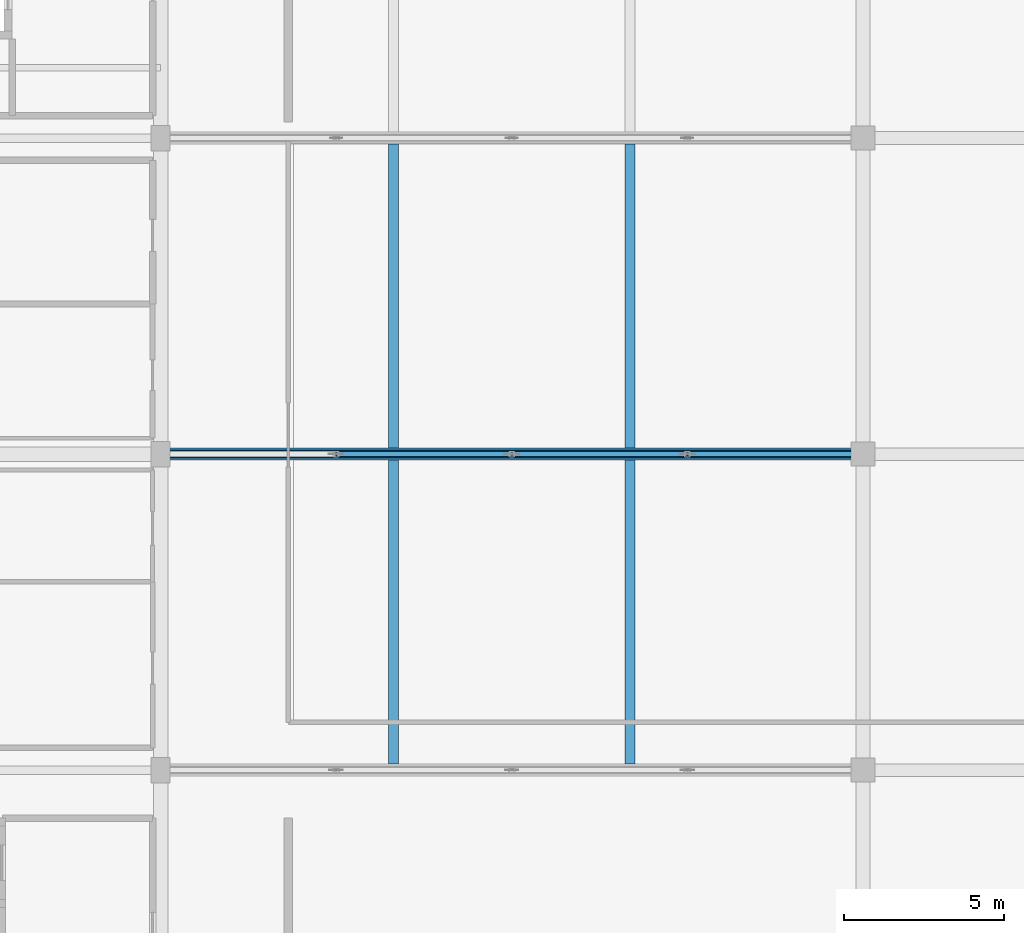
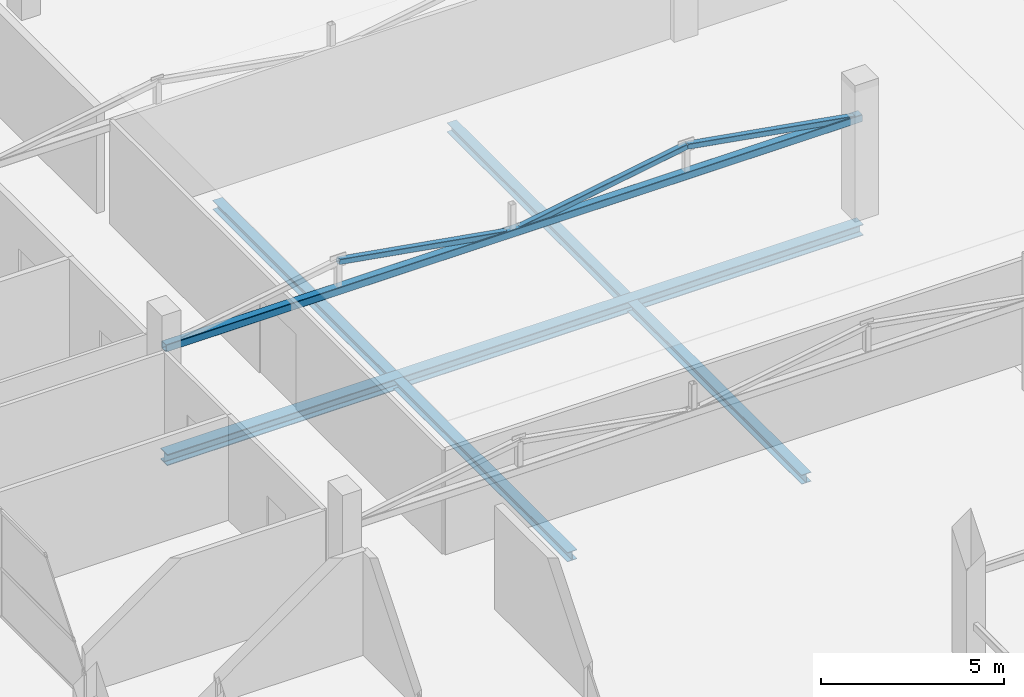
# One storey, part 20 of 58: 5 beams, 4 members.
"""IFC4 building model written with IfcOpenShell, lengths in metres."""

from ifc_helpers import new_model, si_unit, direction, frame, origin, origin_2d, place, context, subcontext, project, spatial, hollow_rectangle, i_section, extrude, material, material_profile, profile_set, type_object, element, save


model = new_model("IFC4")

# Units and contexts
model_context = context("Model", 3, precision=1e-05, world=origin(), true_north=direction((0.0, 1.0)))
body_context = subcontext(model_context, "Body", "Model", "MODEL_VIEW")
ifc_project = project(units=[si_unit("LENGTHUNIT", "METRE"), si_unit("AREAUNIT", "SQUARE_METRE"), si_unit("VOLUMEUNIT", "CUBIC_METRE"), si_unit("PLANEANGLEUNIT", "RADIAN"), si_unit("MASSUNIT", "GRAM", prefix="KILO")], contexts=[model_context])

# Site, building, storey
site_placement = place(None, origin())
site = spatial("IfcSite", under=ifc_project, at=site_placement, CompositionType="ELEMENT")
building_placement = place(site_placement, origin())
building = spatial("IfcBuilding", under=site, at=building_placement, Name="Sillaruma Civic Art Gallery", CompositionType="ELEMENT")
storey_placement = place(building_placement, frame((0.0, 0.0, 28.56005859375)))
storey = spatial("IfcBuildingStorey", under=building, at=storey_placement, Name="L05", CompositionType="ELEMENT", Elevation=28.56005859375)

# Beams
ifc_material_1 = material(Name="Structural Steel ASTM A992 Gr.50", Category="steel")
ifc_material_profile_1 = material_profile(ifc_material_1, i_section(OverallWidth=0.305908203125, OverallDepth=0.31103515625, WebThickness=0.010986328125, FlangeThickness=0.01708984375, FilletRadius=0.014892578125, at=origin_2d()), Name="W310x107")
ifc_profile_set_1 = profile_set([ifc_material_profile_1], Name="Structural Steel ASTM A992 Gr.50")
beam_type_1 = type_object("IfcBeamType", Name="BM-JOIST-W310x107", PredefinedType="JOIST", material=ifc_profile_set_1)
for number, where, z_axis, x_axis, name in (
    (1, (77.300048828125, 49.68701171875, -0.435546875), (0.0, 1.0, 0.0), (-1.0, 0.0, 0.0), "Long-Span Gallery Joist JS-03 (L04:6-7)"),
    (2, (84.699951171875, 49.68701171875, -0.435546875), (0.0, 1.0, 0.0), (-1.0, 0.0, 0.0), "Long-Span Gallery Joist JS-03 (L04:6-7)"),
):
    element("IfcBeam", number, at=place(storey_placement, frame(where, z_axis=z_axis, x_axis=x_axis)), inside=storey, type_object=beam_type_1, Name=name, PredefinedType="JOIST", context=body_context, shape_type="SweptSolid", body=[
        extrude(i_section(OverallWidth=0.305908203125, OverallDepth=0.31103515625, WebThickness=0.010986328125, FlangeThickness=0.01708984375, FilletRadius=0.014892578125, at=origin_2d()), origin(), (0.0, 0.0, 1.0), 9.52587890625),
    ])
for number, where, z_axis, x_axis, name in (
    (3, (77.300048828125, 59.5869140625, -0.435546875), (0.0, 1.0, 0.0), (-1.0, 0.0, 0.0), "Long-Span Gallery Joist JS-03 (L04:7-8)"),
    (4, (84.699951171875, 59.5869140625, -0.435546875), (0.0, 1.0, 0.0), (-1.0, 0.0, 0.0), "Long-Span Gallery Joist JS-03 (L04:7-8)"),
):
    element("IfcBeam", number, at=place(storey_placement, frame(where, z_axis=z_axis, x_axis=x_axis)), inside=storey, type_object=beam_type_1, Name=name, PredefinedType="JOIST", context=body_context, shape_type="SweptSolid", body=[
        extrude(i_section(OverallWidth=0.305908203125, OverallDepth=0.31103515625, WebThickness=0.010986328125, FlangeThickness=0.01708984375, FilletRadius=0.014892578125, at=origin_2d()), origin(), (0.0, 0.0, 1.0), 9.526123046875),
    ])
ifc_material_profile_2 = material_profile(ifc_material_1, i_section(OverallWidth=0.3740234375, OverallDepth=0.3720703125, WebThickness=0.016357421875, FlangeThickness=0.026123046875, FilletRadius=0.014892578125, at=origin_2d()), Name="W360x196")
ifc_profile_set_2 = profile_set([ifc_material_profile_2], Name="Structural Steel ASTM A992 Gr.50")
beam_type_2 = type_object("IfcBeamType", Name="BM-TRTOP-W360x196", PredefinedType="BEAM", material=ifc_profile_set_2)
beam_placement = place(storey_placement, frame((70.0, 59.39990234375, -0.466064453125), z_axis=(1.0, 0.0, 0.0), x_axis=(0.0, 1.0, 0.0)))
element("IfcBeam", 5, at=beam_placement, inside=storey, type_object=beam_type_2, Name="Warren Truss Top Chord TR-L04-2", PredefinedType="BEAM", context=body_context, shape_type="SweptSolid", body=[
    extrude(i_section(OverallWidth=0.3740234375, OverallDepth=0.3720703125, WebThickness=0.016357421875, FlangeThickness=0.026123046875, FilletRadius=0.014892578125, at=origin_2d()), origin(), (0.0, 0.0, 1.0), 22.0),
])

# Members
ifc_material_2 = material(Name="Structural Steel ASTM A500 Gr.C", Category="steel")
ifc_material_profile_3 = material_profile(ifc_material_2, hollow_rectangle(XDim=0.179931640625, YDim=0.179931640625, WallThickness=0.010009765625, InnerFilletRadius=0.010009765625, OuterFilletRadius=0.02001953125, at=origin_2d()), Name="HSS180x180x10")
ifc_profile_set_3 = profile_set([ifc_material_profile_3], Name="Structural Steel ASTM A500 Gr.C")
member_type_1 = type_object("IfcMemberType", Name="MEM-BRACE-HSS180x180x10", PredefinedType="BRACE", material=ifc_profile_set_3)
for number, where, z_axis, x_axis, name in (
    (6, (75.5, 59.39990234375, 4.16796875), (0.985614551455, 0.0, -0.169008745218), (0.0, 1.0, 0.0), "Warren Truss Diagonal TR-L05-2-D2"),
    (7, (81.0, 59.39990234375, 3.224853515625), (0.985614551455, 0.0, 0.169008745218), (0.0, 1.0, 0.0), "Warren Truss Diagonal TR-L05-2-D3"),
    (8, (86.5, 59.39990234375, 4.16796875), (0.985614551455, 0.0, -0.169008745218), (0.0, 1.0, 0.0), "Warren Truss Diagonal TR-L05-2-D4"),
):
    element("IfcMember", number, at=place(storey_placement, frame(where, z_axis=z_axis, x_axis=x_axis)), inside=storey, type_object=member_type_1, Name=name, PredefinedType="BRACE", context=body_context, shape_type="SweptSolid", body=[
        extrude(hollow_rectangle(XDim=0.179931640625, YDim=0.179931640625, WallThickness=0.010009765625, InnerFilletRadius=0.010009765625, OuterFilletRadius=0.02001953125, at=origin_2d()), origin(), (0.0, 0.0, 1.0), 5.580322265625),
    ])
ifc_material_profile_4 = material_profile(ifc_material_2, hollow_rectangle(XDim=0.25, YDim=0.25, WallThickness=0.012451171875, InnerFilletRadius=0.012451171875, OuterFilletRadius=0.02490234375, at=origin_2d()), Name="HSS250x250x12.5")
ifc_profile_set_4 = profile_set([ifc_material_profile_4], Name="Structural Steel ASTM A500 Gr.C")
member_type_2 = type_object("IfcMemberType", Name="MEM-CHORD-HSS250x250x12.5", PredefinedType="CHORD", material=ifc_profile_set_4)
member_placement = place(storey_placement, frame((70.0, 59.39990234375, 3.224853515625), z_axis=(1.0, 0.0, 0.0), x_axis=(0.0, 1.0, 0.0)))
element("IfcMember", 9, at=member_placement, inside=storey, type_object=member_type_2, Name="Warren Truss Bottom Chord TR-L05-2", PredefinedType="CHORD", context=body_context, shape_type="SweptSolid", body=[
    extrude(hollow_rectangle(XDim=0.25, YDim=0.25, WallThickness=0.012451171875, InnerFilletRadius=0.012451171875, OuterFilletRadius=0.02490234375, at=origin_2d()), origin(), (0.0, 0.0, 1.0), 22.0),
])

save(model, "model.ifc")
